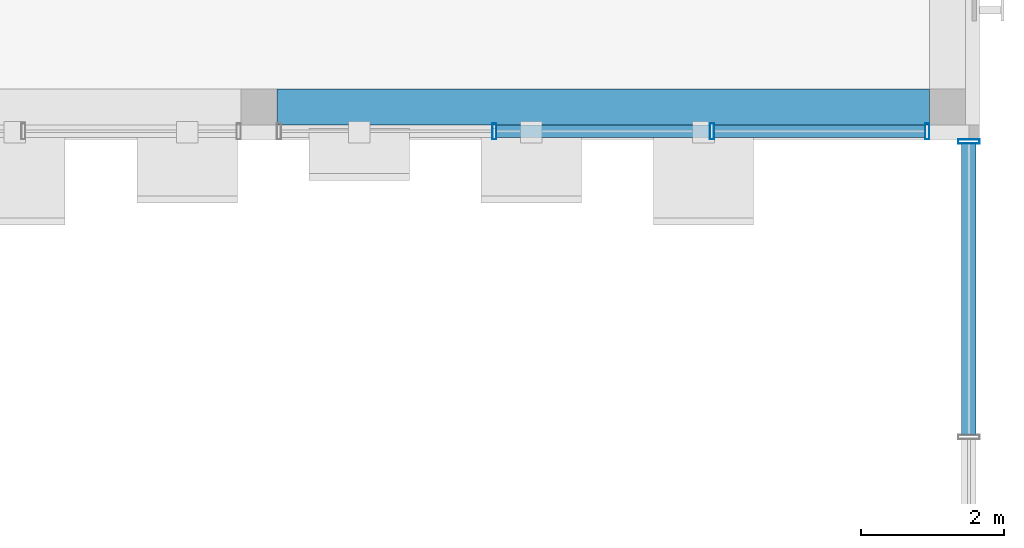
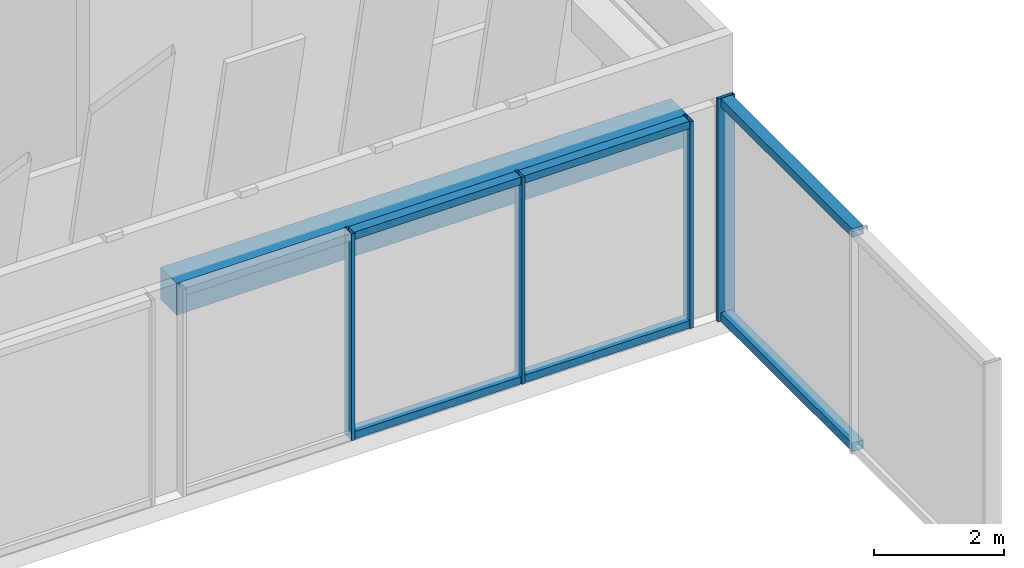
# One storey, part 10 of 26: 10 members, 1 beam, 2 elements without a shape of their own.
"""IFC4 building model written with IfcOpenShell, lengths in metres."""

from ifc_helpers import new_model, si_unit, direction, frame, origin, origin_2d, place, context, subcontext, project, spatial, rectangle, hollow_rectangle, extrude, material, layer, layer_set, material_profile, profile_set, type_object, element, aggregate, save


model = new_model("IFC4")

# Units and contexts
model_context = context("Model", 3, precision=1e-05, world=origin(), true_north=direction((0.0, 1.0)))
body_context = subcontext(model_context, "Body", "Model", "MODEL_VIEW")
ifc_project = project(units=[si_unit("LENGTHUNIT", "METRE"), si_unit("AREAUNIT", "SQUARE_METRE"), si_unit("VOLUMEUNIT", "CUBIC_METRE"), si_unit("PLANEANGLEUNIT", "RADIAN"), si_unit("MASSUNIT", "GRAM", prefix="KILO")], contexts=[model_context])

# Site, building, storey
site_placement = place(None, origin())
site = spatial("IfcSite", under=ifc_project, at=site_placement, CompositionType="ELEMENT")
building_placement = place(site_placement, origin())
building = spatial("IfcBuilding", under=site, at=building_placement, Name="Nzadi Deep Aquarium and Research Tower", CompositionType="ELEMENT")
storey_placement = place(building_placement, frame((0.0, 0.0, 78.10009765625)))
storey = spatial("IfcBuildingStorey", under=building, at=storey_placement, Name="L16", CompositionType="ELEMENT", Elevation=78.10009765625)

# Curtain wall, members
ifc_material_1 = material(Name="Aluminium unitised frame deep", Category="aluminium")
ifc_layer_1 = layer(ifc_material_1, 0.22509765625)
ifc_layer_set_1 = layer_set([ifc_layer_1], Name="Aluminium unitised frame deep")
curtain_wall_type_1 = type_object("IfcCurtainWallType", Name="Curtain wall Unitised Deep 225", PredefinedType="NOTDEFINED", material=ifc_layer_set_1)
curtain_wall_1_placement = place(storey_placement, origin())
curtain_wall_1 = element("IfcCurtainWall", 1, at=curtain_wall_1_placement, inside=storey, type_object=curtain_wall_type_1, Name="Unitised curtain wall blade B south L16", PredefinedType="NOTDEFINED")
ifc_material_2 = material(Name="Aluminium unitised frame deep", Category="aluminium")
ifc_material_profile_1 = material_profile(ifc_material_2, hollow_rectangle(XDim=0.22509765625, YDim=0.06005859375, WallThickness=0.0048828125, at=origin_2d()))
ifc_profile_set_1 = profile_set([ifc_material_profile_1], Name="Aluminium unitised frame deep")
member_type_1 = type_object("IfcMemberType", Name="Mullion 60x225 Unitised Deep", PredefinedType="MULLION", material=ifc_profile_set_1)
member_1_placement = place(storey_placement, frame((32.083251953125, 27.262451171875, 0.0), z_axis=(0.0, 0.0, 1.0), x_axis=(0.0, 1.0, 0.0)))
member_1 = element("IfcMember", 2, at=member_1_placement, type_object=member_type_1, Name="CW195 mullion 2", PredefinedType="MULLION", context=body_context, shape_type="SweptSolid", body=[
    extrude(hollow_rectangle(XDim=0.22509765625, YDim=0.06005859375, WallThickness=0.0048828125, at=origin_2d()), origin(), (0.0, 0.0, 1.0), 3.89990234375),
])
member_2_placement = place(storey_placement, frame((35.11669921875, 27.262451171875, 0.0), z_axis=(0.0, 0.0, 1.0), x_axis=(0.0, 1.0, 0.0)))
member_2 = element("IfcMember", 3, at=member_2_placement, type_object=member_type_1, Name="CW195 mullion 3", PredefinedType="MULLION", context=body_context, shape_type="SweptSolid", body=[
    extrude(hollow_rectangle(XDim=0.22509765625, YDim=0.06005859375, WallThickness=0.0048828125, at=origin_2d()), origin(), (0.0, 0.0, 1.0), 3.89990234375),
])
member_3_placement = place(storey_placement, frame((38.1201171875, 27.262451171875, 0.0), z_axis=(0.0, 0.0, 1.0), x_axis=(0.0, 1.0, 0.0)))
member_3 = element("IfcMember", 4, at=member_3_placement, type_object=member_type_1, Name="CW195 mullion 4", PredefinedType="MULLION", context=body_context, shape_type="SweptSolid", body=[
    extrude(hollow_rectangle(XDim=0.22509765625, YDim=0.06005859375, WallThickness=0.0048828125, at=origin_2d()), origin(), (0.0, 0.0, 1.0), 3.89990234375),
])

# Curtain wall, member
ifc_material_3 = material(Name="Aluminium unitised frame wind post", Category="aluminium")
ifc_layer_2 = layer(ifc_material_3, 0.300048828125)
ifc_layer_set_2 = layer_set([ifc_layer_2], Name="Aluminium unitised frame wind post")
curtain_wall_type_2 = type_object("IfcCurtainWallType", Name="Curtain wall Slot End 300", PredefinedType="NOTDEFINED", material=ifc_layer_set_2)
curtain_wall_2_placement = place(storey_placement, origin())
curtain_wall_2 = element("IfcCurtainWall", 5, at=curtain_wall_2_placement, inside=storey, type_object=curtain_wall_type_2, Name="Glazed slot end east L16", PredefinedType="NOTDEFINED")
ifc_material_4 = material(Name="Aluminium unitised frame wind post", Category="aluminium")
ifc_material_profile_2 = material_profile(ifc_material_4, hollow_rectangle(XDim=0.300048828125, YDim=0.06005859375, WallThickness=0.0048828125, at=origin_2d()))
ifc_profile_set_2 = profile_set([ifc_material_profile_2], Name="Aluminium unitised frame wind post")
member_type_2 = type_object("IfcMemberType", Name="Mullion 60x300 Slot End", PredefinedType="MULLION", material=ifc_profile_set_2)
member_4_placement = place(storey_placement, frame((38.699951171875, 27.1201171875, 0.0), z_axis=(0.0, 0.0, 1.0), x_axis=(-1.0, 0.0, 0.0)))
member_4 = element("IfcMember", 6, at=member_4_placement, type_object=member_type_2, Name="CW224 mullion 3", PredefinedType="MULLION", context=body_context, shape_type="SweptSolid", body=[
    extrude(hollow_rectangle(XDim=0.300048828125, YDim=0.06005859375, WallThickness=0.0048828125, at=origin_2d()), origin(), (0.0, 0.0, 1.0), 4.199951171875),
])

# Beam
ifc_material_5 = material(Name="Concrete C35/45", Category="concrete")
ifc_material_profile_3 = material_profile(ifc_material_5, rectangle(XDim=0.5, YDim=0.60009765625, at=origin_2d()))
ifc_profile_set_3 = profile_set([ifc_material_profile_3], Name="Concrete C35/45")
beam_type = type_object("IfcBeamType", Name="RC 500x600", PredefinedType="BEAM", material=ifc_profile_set_3)
beam_placement = place(storey_placement, frame((29.050048828125, 27.60009765625, 3.599853515625), z_axis=(1.0, 0.0, 0.0), x_axis=(0.0, 1.0, 0.0)))
element("IfcBeam", 7, at=beam_placement, inside=storey, type_object=beam_type, Name="B-Z1-L16-L4-4", PredefinedType="BEAM", context=body_context, shape_type="SweptSolid", body=[
    extrude(rectangle(XDim=0.5, YDim=0.60009765625, at=origin_2d()), origin(), (0.0, 0.0, 1.0), 9.099853515625),
])

# Member
ifc_material_6 = material(Name="Aluminium unitised frame deep", Category="aluminium")
ifc_material_profile_4 = material_profile(ifc_material_6, hollow_rectangle(XDim=0.179931640625, YDim=0.139892578125, WallThickness=0.0048828125, at=origin_2d()))
ifc_profile_set_4 = profile_set([ifc_material_profile_4], Name="Aluminium unitised frame deep")
member_type_3 = type_object("IfcMemberType", Name="Transom 140x180 Unitised Deep", PredefinedType="MULLION", material=ifc_profile_set_4)
member_5_placement = place(storey_placement, frame((32.11328125, 27.262451171875, 0.06982421875), z_axis=(1.0, 0.0, 0.0), x_axis=(0.0, 1.0, 0.0)))
member_5 = element("IfcMember", 8, at=member_5_placement, type_object=member_type_3, Name="CW195 transom 2.1", PredefinedType="MULLION", context=body_context, shape_type="SweptSolid", body=[
    extrude(hollow_rectangle(XDim=0.179931640625, YDim=0.139892578125, WallThickness=0.0048828125, at=origin_2d()), origin(), (0.0, 0.0, 1.0), 2.973388671875),
])

member_6_placement = place(storey_placement, frame((32.11328125, 27.262451171875, 3.829833984375), z_axis=(1.0, 0.0, 0.0), x_axis=(0.0, 1.0, 0.0)))
member_6 = element("IfcMember", 9, at=member_6_placement, type_object=member_type_3, Name="CW195 transom 2.2", PredefinedType="MULLION", context=body_context, shape_type="SweptSolid", body=[
    extrude(hollow_rectangle(XDim=0.179931640625, YDim=0.139892578125, WallThickness=0.0048828125, at=origin_2d()), origin(), (0.0, 0.0, 1.0), 2.973388671875),
])

member_7_placement = place(storey_placement, frame((35.146728515625, 27.262451171875, 0.06982421875), z_axis=(1.0, 0.0, 0.0), x_axis=(0.0, 1.0, 0.0)))
member_7 = element("IfcMember", 10, at=member_7_placement, type_object=member_type_3, Name="CW195 transom 3.1", PredefinedType="MULLION", context=body_context, shape_type="SweptSolid", body=[
    extrude(hollow_rectangle(XDim=0.179931640625, YDim=0.139892578125, WallThickness=0.0048828125, at=origin_2d()), origin(), (0.0, 0.0, 1.0), 2.943359375),
])

member_8_placement = place(storey_placement, frame((35.146728515625, 27.262451171875, 3.829833984375), z_axis=(1.0, 0.0, 0.0), x_axis=(0.0, 1.0, 0.0)))
member_8 = element("IfcMember", 11, at=member_8_placement, type_object=member_type_3, Name="CW195 transom 3.2", PredefinedType="MULLION", context=body_context, shape_type="SweptSolid", body=[
    extrude(hollow_rectangle(XDim=0.179931640625, YDim=0.139892578125, WallThickness=0.0048828125, at=origin_2d()), origin(), (0.0, 0.0, 1.0), 2.943359375),
])

aggregate(curtain_wall_1, [member_1, member_2, member_3, member_5, member_6, member_7, member_8])

ifc_material_7 = material(Name="Aluminium unitised frame wind post", Category="aluminium")
ifc_material_profile_5 = material_profile(ifc_material_7, hollow_rectangle(XDim=0.199951171875, YDim=0.159912109375, WallThickness=0.0048828125, at=origin_2d()))
ifc_profile_set_5 = profile_set([ifc_material_profile_5], Name="Aluminium unitised frame wind post")
member_type_4 = type_object("IfcMemberType", Name="Transom 160x200 Slot End", PredefinedType="MULLION", material=ifc_profile_set_5)
member_9_placement = place(storey_placement, frame((38.699951171875, 23.030029296875, 0.079833984375), z_axis=(0.0, 1.0, 0.0), x_axis=(-1.0, 0.0, 0.0)))
member_9 = element("IfcMember", 12, at=member_9_placement, type_object=member_type_4, Name="CW224 transom 2.1", PredefinedType="MULLION", context=body_context, shape_type="SweptSolid", body=[
    extrude(hollow_rectangle(XDim=0.199951171875, YDim=0.159912109375, WallThickness=0.0048828125, at=origin_2d()), origin(), (0.0, 0.0, 1.0), 4.06005859375),
])

member_10_placement = place(storey_placement, frame((38.699951171875, 23.030029296875, 4.119873046875), z_axis=(0.0, 1.0, 0.0), x_axis=(-1.0, 0.0, 0.0)))
member_10 = element("IfcMember", 13, at=member_10_placement, type_object=member_type_4, Name="CW224 transom 2.2", PredefinedType="MULLION", context=body_context, shape_type="SweptSolid", body=[
    extrude(hollow_rectangle(XDim=0.199951171875, YDim=0.159912109375, WallThickness=0.0048828125, at=origin_2d()), origin(), (0.0, 0.0, 1.0), 4.06005859375),
])

aggregate(curtain_wall_2, [member_4, member_9, member_10])

save(model, "model.ifc")
